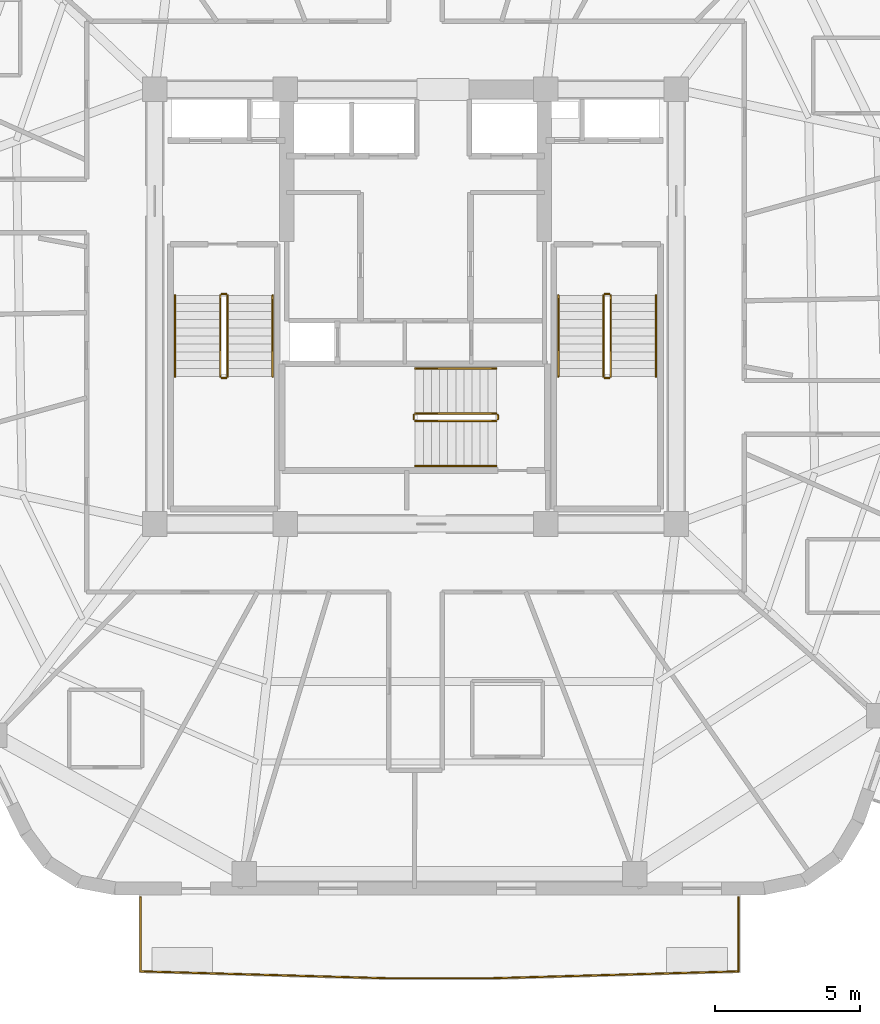
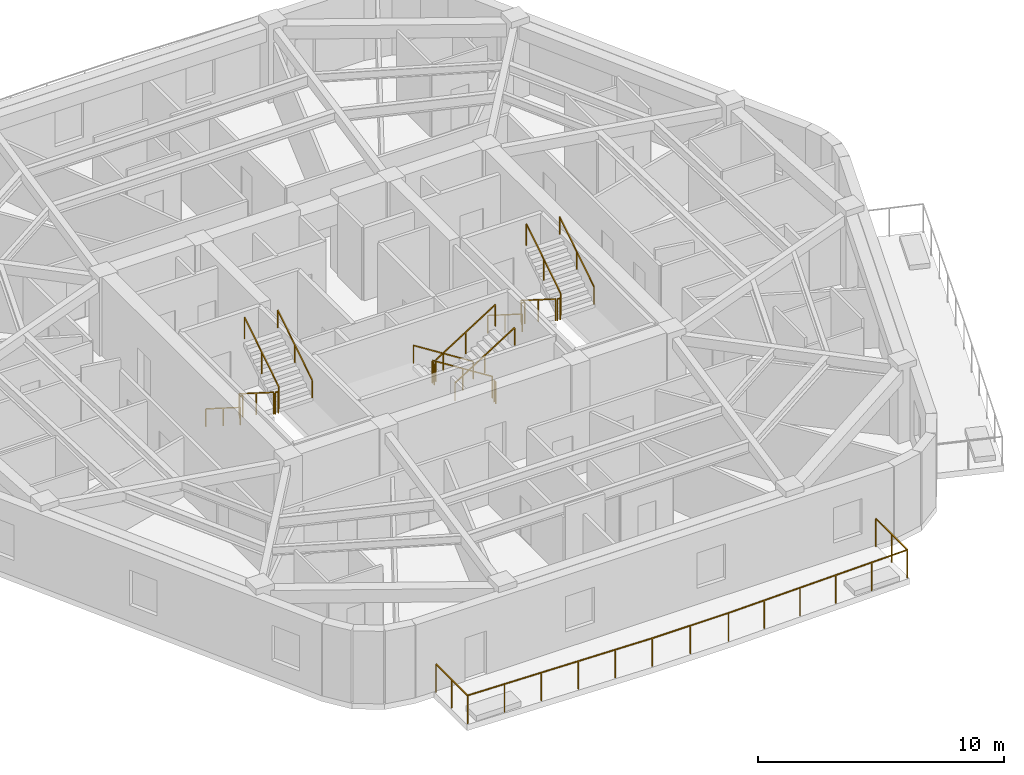
# One storey, part 8 of 9: 19 railings.
"""IFC4 building model written with IfcOpenShell, lengths in metres."""

from ifc_helpers import new_model, si_unit, direction, frame, origin, origin_2d, place, context, subcontext, project, spatial, rectangle, extrude, material, layer, layer_set, type_object, element, save


model = new_model("IFC4")

# Units and contexts
model_context = context("Model", 3, precision=1e-05, world=origin(), true_north=direction((0.0, 1.0)))
body_context = subcontext(model_context, "Body", "Model", "MODEL_VIEW")
ifc_project = project(units=[si_unit("LENGTHUNIT", "METRE"), si_unit("AREAUNIT", "SQUARE_METRE"), si_unit("VOLUMEUNIT", "CUBIC_METRE"), si_unit("PLANEANGLEUNIT", "RADIAN"), si_unit("MASSUNIT", "GRAM", prefix="KILO")], contexts=[model_context])

# Site, building, storey
site_placement = place(None, origin())
site = spatial("IfcSite", under=ifc_project, at=site_placement, CompositionType="ELEMENT")
building_placement = place(site_placement, origin())
building = spatial("IfcBuilding", under=site, at=building_placement, Name="Kilnhurst Terrace Hotel", CompositionType="ELEMENT")
storey_placement = place(building_placement, frame((0.0, 0.0, 261.300048828125)))
storey = spatial("IfcBuildingStorey", under=building, at=storey_placement, Name="L65", CompositionType="ELEMENT", Elevation=261.300048828125)

# Railings
ifc_material_1 = material(Name="Laminated SentryGlas and Stainless Steel AISI 316L Balustrade", Category="steel")
ifc_layer_1 = layer(ifc_material_1, 0.070068359375, Name="Laminated SentryGlas and Stainless Steel AISI 316L Balustrade")
ifc_layer_set_1 = layer_set([ifc_layer_1], Name="Laminated SentryGlas and Stainless Steel AISI 316L Balustrade")
railing_type_1 = type_object("IfcRailingType", Name="RLG-BAL-1420", PredefinedType="BALUSTRADE", material=ifc_layer_set_1)
railing_1_placement = place(storey_placement, frame((11.151611328125, -20.3798828125, 0.0)))
element("IfcRailing", 1, at=railing_1_placement, inside=storey, type_object=railing_type_1, Name="L65 Exterior Terrace Guardrail BAL-L1A.1", PredefinedType="BALUSTRADE", context=body_context, shape_type="SweptSolid", body=[
    extrude(rectangle(XDim=0.048095703125, YDim=0.048095703125, at=origin_2d()), frame((0.0, 0.0, 1.39599609375), z_axis=(0.0, -1.0, 0.0), x_axis=(1.0, 0.0, 0.0)), (0.0, 0.0, 1.0), 2.561767578125),
    extrude(rectangle(XDim=0.048095703125, YDim=0.048095703125, at=origin_2d()), frame((0.0, -2.561767578125, 1.39599609375), z_axis=(-0.999610218954, -0.027917918323, 0.0), x_axis=(0.027917918323, -0.999610218954, 0.0)), (0.0, 0.0, 1.0), 8.53515625),
    extrude(rectangle(XDim=0.048095703125, YDim=0.048095703125, at=origin_2d()), frame((-8.53173828125, -2.800048828125, 1.39599609375), z_axis=(-1.0, 0.0, 0.0), x_axis=(0.0, -1.0, 0.0)), (0.0, 0.0, 1.0), 3.577880859375),
    extrude(rectangle(XDim=0.048095703125, YDim=0.048095703125, at=origin_2d()), frame((-12.109619140625, -2.800048828125, 1.39599609375), z_axis=(-0.999610218954, 0.027917918323, 0.0), x_axis=(-0.027917918323, -0.999610218954, 0.0)), (0.0, 0.0, 1.0), 8.53515625),
    extrude(rectangle(XDim=0.048095703125, YDim=0.048095703125, at=origin_2d()), frame((-20.641357421875, -2.561767578125, 1.39599609375), z_axis=(0.0, 1.0, 0.0), x_axis=(-1.0, 0.0, 0.0)), (0.0, 0.0, 1.0), 2.561767578125),
    extrude(rectangle(XDim=0.0419921875, YDim=0.0419921875, at=origin_2d()), origin(), (0.0, 0.0, 1.0), 1.371826171875),
    extrude(rectangle(XDim=0.0419921875, YDim=0.0419921875, at=origin_2d()), frame((0.0, -1.28076171875, 0.0)), (0.0, 0.0, 1.0), 1.371826171875),
    extrude(rectangle(XDim=0.0419921875, YDim=0.0419921875, at=origin_2d()), frame((0.0, -2.561767578125, 0.0)), (0.0, 0.0, 1.0), 1.371826171875),
    extrude(rectangle(XDim=0.0419921875, YDim=0.0419921875, at=origin_2d()), frame((-1.706298828125, -2.609375, 0.0)), (0.0, 0.0, 1.0), 1.371826171875),
    extrude(rectangle(XDim=0.0419921875, YDim=0.0419921875, at=origin_2d()), frame((-3.41259765625, -2.656982421875, 0.0)), (0.0, 0.0, 1.0), 1.371826171875),
    extrude(rectangle(XDim=0.0419921875, YDim=0.0419921875, at=origin_2d()), frame((-5.119140625, -2.704833984375, 0.0)), (0.0, 0.0, 1.0), 1.371826171875),
    extrude(rectangle(XDim=0.0419921875, YDim=0.0419921875, at=origin_2d()), frame((-6.825439453125, -2.75244140625, 0.0)), (0.0, 0.0, 1.0), 1.371826171875),
    extrude(rectangle(XDim=0.0419921875, YDim=0.0419921875, at=origin_2d()), frame((-8.53173828125, -2.800048828125, 0.0)), (0.0, 0.0, 1.0), 1.371826171875),
    extrude(rectangle(XDim=0.0419921875, YDim=0.0419921875, at=origin_2d()), frame((-10.32080078125, -2.800048828125, 0.0)), (0.0, 0.0, 1.0), 1.371826171875),
    extrude(rectangle(XDim=0.0419921875, YDim=0.0419921875, at=origin_2d()), frame((-12.109619140625, -2.800048828125, 0.0)), (0.0, 0.0, 1.0), 1.371826171875),
    extrude(rectangle(XDim=0.0419921875, YDim=0.0419921875, at=origin_2d()), frame((-13.81591796875, -2.75244140625, 0.0)), (0.0, 0.0, 1.0), 1.371826171875),
    extrude(rectangle(XDim=0.0419921875, YDim=0.0419921875, at=origin_2d()), frame((-15.522216796875, -2.704833984375, 0.0)), (0.0, 0.0, 1.0), 1.371826171875),
    extrude(rectangle(XDim=0.0419921875, YDim=0.0419921875, at=origin_2d()), frame((-17.228759765625, -2.656982421875, 0.0)), (0.0, 0.0, 1.0), 1.371826171875),
    extrude(rectangle(XDim=0.0419921875, YDim=0.0419921875, at=origin_2d()), frame((-18.93505859375, -2.609375, 0.0)), (0.0, 0.0, 1.0), 1.371826171875),
    extrude(rectangle(XDim=0.0419921875, YDim=0.0419921875, at=origin_2d()), frame((-20.641357421875, -2.561767578125, 0.0)), (0.0, 0.0, 1.0), 1.371826171875),
    extrude(rectangle(XDim=0.0419921875, YDim=0.0419921875, at=origin_2d()), frame((-20.641357421875, -1.28076171875, 0.0)), (0.0, 0.0, 1.0), 1.371826171875),
    extrude(rectangle(XDim=0.0419921875, YDim=0.0419921875, at=origin_2d()), frame((-20.641357421875, 0.0, 0.0)), (0.0, 0.0, 1.0), 1.371826171875),
])
ifc_material_2 = material(Name="Powder-Coated Steel ASTM A500 Grade B", Category="steel")
ifc_layer_2 = layer(ifc_material_2, 0.050048828125, Name="Powder-Coated Steel ASTM A500 Grade B")
ifc_layer_set_2 = layer_set([ifc_layer_2], Name="Powder-Coated Steel ASTM A500 Grade B")
railing_type_2 = type_object("IfcRailingType", Name="RLG-ST-GRD-1100", PredefinedType="GUARDRAIL", material=ifc_layer_set_2)
railing_2_placement = place(storey_placement, frame((-6.739990234375, 0.389892578125, 0.17724609375)))
element("IfcRailing", 2, at=railing_2_placement, inside=storey, type_object=railing_type_2, Name="L65 ST-1 stair guard 1", PredefinedType="GUARDRAIL", context=body_context, shape_type="SweptSolid", body=[
    extrude(rectangle(XDim=0.048095703125, YDim=0.048095703125, at=origin_2d()), frame((0.0, 0.0, 1.076171875), z_axis=(0.0, -0.844887892834, 0.53494340686), x_axis=(1.0, 0.0, 0.0)), (0.0, 0.0, 1.0), 3.313720703125),
    extrude(rectangle(XDim=0.0419921875, YDim=0.0419921875, at=origin_2d()), origin(), (0.0, 0.0, 1.0), 1.052001953125),
    extrude(rectangle(XDim=0.0419921875, YDim=0.0419921875, at=origin_2d()), frame((0.0, -1.39990234375, 0.88623046875)), (0.0, 0.0, 1.0), 1.052001953125),
    extrude(rectangle(XDim=0.0419921875, YDim=0.0419921875, at=origin_2d()), frame((0.0, -2.7998046875, 1.772705078125)), (0.0, 0.0, 1.0), 1.052001953125),
])
railing_3_placement = place(storey_placement, frame((-6.68994140625, -2.4599609375, 1.949951171875)))
element("IfcRailing", 3, at=railing_3_placement, inside=storey, type_object=railing_type_2, Name="L65 ST-1 stair guard 2", PredefinedType="GUARDRAIL", context=body_context, shape_type="SweptSolid", body=[
    extrude(rectangle(XDim=0.048095703125, YDim=0.048095703125, at=origin_2d()), frame((0.0, 0.0, 1.076171875), z_axis=(1.0, 0.0, 0.0), x_axis=(0.0, 1.0, 0.0)), (0.0, 0.0, 1.0), 0.14990234375),
    extrude(rectangle(XDim=0.0419921875, YDim=0.0419921875, at=origin_2d()), origin(), (0.0, 0.0, 1.0), 1.052001953125),
    extrude(rectangle(XDim=0.0419921875, YDim=0.0419921875, at=origin_2d()), frame((0.14990234375, 0.0, 0.0)), (0.0, 0.0, 1.0), 1.052001953125),
])
railing_4_placement = place(storey_placement, frame((-6.489990234375, -2.409912109375, 2.127197265625)))
element("IfcRailing", 4, at=railing_4_placement, inside=storey, type_object=railing_type_2, Name="L65 ST-1 stair guard 3", PredefinedType="GUARDRAIL", context=body_context, shape_type="SweptSolid", body=[
    extrude(rectangle(XDim=0.048095703125, YDim=0.048095703125, at=origin_2d()), frame((0.0, 0.0, 1.076171875), z_axis=(0.0, 0.844887892834, 0.53494340686), x_axis=(-1.0, 0.0, 0.0)), (0.0, 0.0, 1.0), 3.313720703125),
    extrude(rectangle(XDim=0.0419921875, YDim=0.0419921875, at=origin_2d()), origin(), (0.0, 0.0, 1.0), 1.052001953125),
    extrude(rectangle(XDim=0.0419921875, YDim=0.0419921875, at=origin_2d()), frame((0.0, 1.39990234375, 0.88623046875)), (0.0, 0.0, 1.0), 1.052001953125),
    extrude(rectangle(XDim=0.0419921875, YDim=0.0419921875, at=origin_2d()), frame((0.0, 2.7998046875, 1.772705078125)), (0.0, 0.0, 1.0), 1.052001953125),
])
railing_5_placement = place(storey_placement, frame((-6.68994140625, 0.43994140625, 0.0)))
element("IfcRailing", 5, at=railing_5_placement, inside=storey, type_object=railing_type_2, Name="L65 ST-1 stair guard 4", PredefinedType="GUARDRAIL", context=body_context, shape_type="SweptSolid", body=[
    extrude(rectangle(XDim=0.048095703125, YDim=0.048095703125, at=origin_2d()), frame((0.0, 0.0, 1.076171875), z_axis=(1.0, 0.0, 0.0), x_axis=(0.0, 1.0, 0.0)), (0.0, 0.0, 1.0), 0.14990234375),
    extrude(rectangle(XDim=0.0419921875, YDim=0.0419921875, at=origin_2d()), origin(), (0.0, 0.0, 1.0), 1.052001953125),
    extrude(rectangle(XDim=0.0419921875, YDim=0.0419921875, at=origin_2d()), frame((0.14990234375, 0.0, 0.0)), (0.0, 0.0, 1.0), 1.052001953125),
])
railing_6_placement = place(storey_placement, frame((6.489990234375, 0.389892578125, 0.17724609375)))
element("IfcRailing", 6, at=railing_6_placement, inside=storey, type_object=railing_type_2, Name="L65 ST-2 stair guard 1", PredefinedType="GUARDRAIL", context=body_context, shape_type="SweptSolid", body=[
    extrude(rectangle(XDim=0.048095703125, YDim=0.048095703125, at=origin_2d()), frame((0.0, 0.0, 1.076171875), z_axis=(0.0, -0.844887892834, 0.53494340686), x_axis=(1.0, 0.0, 0.0)), (0.0, 0.0, 1.0), 3.313720703125),
    extrude(rectangle(XDim=0.0419921875, YDim=0.0419921875, at=origin_2d()), origin(), (0.0, 0.0, 1.0), 1.052001953125),
    extrude(rectangle(XDim=0.0419921875, YDim=0.0419921875, at=origin_2d()), frame((0.0, -1.39990234375, 0.88623046875)), (0.0, 0.0, 1.0), 1.052001953125),
    extrude(rectangle(XDim=0.0419921875, YDim=0.0419921875, at=origin_2d()), frame((0.0, -2.7998046875, 1.772705078125)), (0.0, 0.0, 1.0), 1.052001953125),
])
railing_7_placement = place(storey_placement, frame((6.5400390625, -2.4599609375, 1.949951171875)))
element("IfcRailing", 7, at=railing_7_placement, inside=storey, type_object=railing_type_2, Name="L65 ST-2 stair guard 2", PredefinedType="GUARDRAIL", context=body_context, shape_type="SweptSolid", body=[
    extrude(rectangle(XDim=0.048095703125, YDim=0.048095703125, at=origin_2d()), frame((0.0, 0.0, 1.076171875), z_axis=(1.0, 0.0, 0.0), x_axis=(0.0, 1.0, 0.0)), (0.0, 0.0, 1.0), 0.14990234375),
    extrude(rectangle(XDim=0.0419921875, YDim=0.0419921875, at=origin_2d()), origin(), (0.0, 0.0, 1.0), 1.052001953125),
    extrude(rectangle(XDim=0.0419921875, YDim=0.0419921875, at=origin_2d()), frame((0.14990234375, 0.0, 0.0)), (0.0, 0.0, 1.0), 1.052001953125),
])
railing_8_placement = place(storey_placement, frame((6.739990234375, -2.409912109375, 2.127197265625)))
element("IfcRailing", 8, at=railing_8_placement, inside=storey, type_object=railing_type_2, Name="L65 ST-2 stair guard 3", PredefinedType="GUARDRAIL", context=body_context, shape_type="SweptSolid", body=[
    extrude(rectangle(XDim=0.048095703125, YDim=0.048095703125, at=origin_2d()), frame((0.0, 0.0, 1.076171875), z_axis=(0.0, 0.844887892834, 0.53494340686), x_axis=(-1.0, 0.0, 0.0)), (0.0, 0.0, 1.0), 3.313720703125),
    extrude(rectangle(XDim=0.0419921875, YDim=0.0419921875, at=origin_2d()), origin(), (0.0, 0.0, 1.0), 1.052001953125),
    extrude(rectangle(XDim=0.0419921875, YDim=0.0419921875, at=origin_2d()), frame((0.0, 1.39990234375, 0.88623046875)), (0.0, 0.0, 1.0), 1.052001953125),
    extrude(rectangle(XDim=0.0419921875, YDim=0.0419921875, at=origin_2d()), frame((0.0, 2.7998046875, 1.772705078125)), (0.0, 0.0, 1.0), 1.052001953125),
])
railing_9_placement = place(storey_placement, frame((6.5400390625, 0.43994140625, 0.0)))
element("IfcRailing", 9, at=railing_9_placement, inside=storey, type_object=railing_type_2, Name="L65 ST-2 stair guard 4", PredefinedType="GUARDRAIL", context=body_context, shape_type="SweptSolid", body=[
    extrude(rectangle(XDim=0.048095703125, YDim=0.048095703125, at=origin_2d()), frame((0.0, 0.0, 1.076171875), z_axis=(1.0, 0.0, 0.0), x_axis=(0.0, 1.0, 0.0)), (0.0, 0.0, 1.0), 0.14990234375),
    extrude(rectangle(XDim=0.0419921875, YDim=0.0419921875, at=origin_2d()), origin(), (0.0, 0.0, 1.0), 1.052001953125),
    extrude(rectangle(XDim=0.0419921875, YDim=0.0419921875, at=origin_2d()), frame((0.14990234375, 0.0, 0.0)), (0.0, 0.0, 1.0), 1.052001953125),
])
railing_10_placement = place(storey_placement, frame((2.7900390625, -3.68994140625, 0.17724609375)))
element("IfcRailing", 10, at=railing_10_placement, inside=storey, type_object=railing_type_2, Name="L65 ST-3 stair guard 1", PredefinedType="GUARDRAIL", context=body_context, shape_type="SweptSolid", body=[
    extrude(rectangle(XDim=0.048095703125, YDim=0.048095703125, at=origin_2d()), frame((0.0, 0.0, 1.076171875), z_axis=(-0.844908973607, 0.0, 0.534910110503), x_axis=(0.0, -1.0, 0.0)), (0.0, 0.0, 1.0), 3.31396484375),
    extrude(rectangle(XDim=0.0419921875, YDim=0.0419921875, at=origin_2d()), origin(), (0.0, 0.0, 1.0), 1.052001953125),
    extrude(rectangle(XDim=0.0419921875, YDim=0.0419921875, at=origin_2d()), frame((-1.39990234375, 0.0, 0.88623046875)), (0.0, 0.0, 1.0), 1.052001953125),
    extrude(rectangle(XDim=0.0419921875, YDim=0.0419921875, at=origin_2d()), frame((-2.800048828125, 0.0, 1.772705078125)), (0.0, 0.0, 1.0), 1.052001953125),
])
railing_11_placement = place(storey_placement, frame((-0.06005859375, -3.739990234375, 1.949951171875)))
element("IfcRailing", 11, at=railing_11_placement, inside=storey, type_object=railing_type_2, Name="L65 ST-3 stair guard 2", PredefinedType="GUARDRAIL", context=body_context, shape_type="SweptSolid", body=[
    extrude(rectangle(XDim=0.048095703125, YDim=0.048095703125, at=origin_2d()), frame((0.0, 0.0, 1.076171875), z_axis=(0.0, -1.0, 0.0), x_axis=(1.0, 0.0, 0.0)), (0.0, 0.0, 1.0), 0.14990234375),
    extrude(rectangle(XDim=0.0419921875, YDim=0.0419921875, at=origin_2d()), origin(), (0.0, 0.0, 1.0), 1.052001953125),
    extrude(rectangle(XDim=0.0419921875, YDim=0.0419921875, at=origin_2d()), frame((0.0, -0.14990234375, 0.0)), (0.0, 0.0, 1.0), 1.052001953125),
])
railing_12_placement = place(storey_placement, frame((-0.010009765625, -3.93994140625, 2.127197265625)))
element("IfcRailing", 12, at=railing_12_placement, inside=storey, type_object=railing_type_2, Name="L65 ST-3 stair guard 3", PredefinedType="GUARDRAIL", context=body_context, shape_type="SweptSolid", body=[
    extrude(rectangle(XDim=0.048095703125, YDim=0.048095703125, at=origin_2d()), frame((0.0, 0.0, 1.076171875), z_axis=(0.844908973607, 0.0, 0.534910110503), x_axis=(0.0, 1.0, 0.0)), (0.0, 0.0, 1.0), 3.31396484375),
    extrude(rectangle(XDim=0.0419921875, YDim=0.0419921875, at=origin_2d()), origin(), (0.0, 0.0, 1.0), 1.052001953125),
    extrude(rectangle(XDim=0.0419921875, YDim=0.0419921875, at=origin_2d()), frame((1.39990234375, 0.0, 0.88623046875)), (0.0, 0.0, 1.0), 1.052001953125),
    extrude(rectangle(XDim=0.0419921875, YDim=0.0419921875, at=origin_2d()), frame((2.800048828125, 0.0, 1.772705078125)), (0.0, 0.0, 1.0), 1.052001953125),
])
railing_13_placement = place(storey_placement, frame((2.840087890625, -3.739990234375, 0.0)))
element("IfcRailing", 13, at=railing_13_placement, inside=storey, type_object=railing_type_2, Name="L65 ST-3 stair guard 4", PredefinedType="GUARDRAIL", context=body_context, shape_type="SweptSolid", body=[
    extrude(rectangle(XDim=0.048095703125, YDim=0.048095703125, at=origin_2d()), frame((0.0, 0.0, 1.076171875), z_axis=(0.0, -1.0, 0.0), x_axis=(1.0, 0.0, 0.0)), (0.0, 0.0, 1.0), 0.14990234375),
    extrude(rectangle(XDim=0.0419921875, YDim=0.0419921875, at=origin_2d()), origin(), (0.0, 0.0, 1.0), 1.052001953125),
    extrude(rectangle(XDim=0.0419921875, YDim=0.0419921875, at=origin_2d()), frame((0.0, -0.14990234375, 0.0)), (0.0, 0.0, 1.0), 1.052001953125),
])
ifc_material_3 = material(Name="Brushed Stainless Steel AISI 304", Category="steel")
ifc_layer_3 = layer(ifc_material_3, 0.048095703125, Name="Brushed Stainless Steel AISI 304")
ifc_layer_set_3 = layer_set([ifc_layer_3], Name="Brushed Stainless Steel AISI 304")
railing_type_3 = type_object("IfcRailingType", Name="RLG-ST-HRL-900", PredefinedType="HANDRAIL", material=ifc_layer_set_3)
railing_14_placement = place(storey_placement, frame((-8.300048828125, 0.389892578125, 0.17724609375)))
element("IfcRailing", 14, at=railing_14_placement, inside=storey, type_object=railing_type_3, Name="L65 ST-1 stair handrail 1", PredefinedType="HANDRAIL", context=body_context, shape_type="SweptSolid", body=[
    extrude(rectangle(XDim=0.048095703125, YDim=0.048095703125, at=origin_2d()), frame((0.0, 0.0, 0.8759765625), z_axis=(0.0, -0.844887892834, 0.53494340686), x_axis=(1.0, 0.0, 0.0)), (0.0, 0.0, 1.0), 3.313720703125),
    extrude(rectangle(XDim=0.0419921875, YDim=0.0419921875, at=origin_2d()), origin(), (0.0, 0.0, 1.0), 0.851806640625),
    extrude(rectangle(XDim=0.0419921875, YDim=0.0419921875, at=origin_2d()), frame((0.0, -1.39990234375, 0.88623046875)), (0.0, 0.0, 1.0), 0.851806640625),
    extrude(rectangle(XDim=0.0419921875, YDim=0.0419921875, at=origin_2d()), frame((0.0, -2.7998046875, 1.772705078125)), (0.0, 0.0, 1.0), 0.851806640625),
])
railing_15_placement = place(storey_placement, frame((-4.929931640625, -2.409912109375, 2.127197265625)))
element("IfcRailing", 15, at=railing_15_placement, inside=storey, type_object=railing_type_3, Name="L65 ST-1 stair handrail 2", PredefinedType="HANDRAIL", context=body_context, shape_type="SweptSolid", body=[
    extrude(rectangle(XDim=0.048095703125, YDim=0.048095703125, at=origin_2d()), frame((0.0, 0.0, 0.8759765625), z_axis=(0.0, 0.844887892834, 0.53494340686), x_axis=(-1.0, 0.0, 0.0)), (0.0, 0.0, 1.0), 3.313720703125),
    extrude(rectangle(XDim=0.0419921875, YDim=0.0419921875, at=origin_2d()), origin(), (0.0, 0.0, 1.0), 0.851806640625),
    extrude(rectangle(XDim=0.0419921875, YDim=0.0419921875, at=origin_2d()), frame((0.0, 1.39990234375, 0.88623046875)), (0.0, 0.0, 1.0), 0.851806640625),
    extrude(rectangle(XDim=0.0419921875, YDim=0.0419921875, at=origin_2d()), frame((0.0, 2.7998046875, 1.772705078125)), (0.0, 0.0, 1.0), 0.851806640625),
])
railing_16_placement = place(storey_placement, frame((4.929931640625, 0.389892578125, 0.17724609375)))
element("IfcRailing", 16, at=railing_16_placement, inside=storey, type_object=railing_type_3, Name="L65 ST-2 stair handrail 1", PredefinedType="HANDRAIL", context=body_context, shape_type="SweptSolid", body=[
    extrude(rectangle(XDim=0.048095703125, YDim=0.048095703125, at=origin_2d()), frame((0.0, 0.0, 0.8759765625), z_axis=(0.0, -0.844887892834, 0.53494340686), x_axis=(1.0, 0.0, 0.0)), (0.0, 0.0, 1.0), 3.313720703125),
    extrude(rectangle(XDim=0.0419921875, YDim=0.0419921875, at=origin_2d()), origin(), (0.0, 0.0, 1.0), 0.851806640625),
    extrude(rectangle(XDim=0.0419921875, YDim=0.0419921875, at=origin_2d()), frame((0.0, -1.39990234375, 0.88623046875)), (0.0, 0.0, 1.0), 0.851806640625),
    extrude(rectangle(XDim=0.0419921875, YDim=0.0419921875, at=origin_2d()), frame((0.0, -2.7998046875, 1.772705078125)), (0.0, 0.0, 1.0), 0.851806640625),
])
railing_17_placement = place(storey_placement, frame((8.300048828125, -2.409912109375, 2.127197265625)))
element("IfcRailing", 17, at=railing_17_placement, inside=storey, type_object=railing_type_3, Name="L65 ST-2 stair handrail 2", PredefinedType="HANDRAIL", context=body_context, shape_type="SweptSolid", body=[
    extrude(rectangle(XDim=0.048095703125, YDim=0.048095703125, at=origin_2d()), frame((0.0, 0.0, 0.8759765625), z_axis=(0.0, 0.844887892834, 0.53494340686), x_axis=(-1.0, 0.0, 0.0)), (0.0, 0.0, 1.0), 3.313720703125),
    extrude(rectangle(XDim=0.0419921875, YDim=0.0419921875, at=origin_2d()), origin(), (0.0, 0.0, 1.0), 0.851806640625),
    extrude(rectangle(XDim=0.0419921875, YDim=0.0419921875, at=origin_2d()), frame((0.0, 1.39990234375, 0.88623046875)), (0.0, 0.0, 1.0), 0.851806640625),
    extrude(rectangle(XDim=0.0419921875, YDim=0.0419921875, at=origin_2d()), frame((0.0, 2.7998046875, 1.772705078125)), (0.0, 0.0, 1.0), 0.851806640625),
])
railing_18_placement = place(storey_placement, frame((2.7900390625, -2.1298828125, 0.17724609375)))
element("IfcRailing", 18, at=railing_18_placement, inside=storey, type_object=railing_type_3, Name="L65 ST-3 stair handrail 1", PredefinedType="HANDRAIL", context=body_context, shape_type="SweptSolid", body=[
    extrude(rectangle(XDim=0.048095703125, YDim=0.048095703125, at=origin_2d()), frame((0.0, 0.0, 0.8759765625), z_axis=(-0.844908973607, 0.0, 0.534910110503), x_axis=(0.0, -1.0, 0.0)), (0.0, 0.0, 1.0), 3.31396484375),
    extrude(rectangle(XDim=0.0419921875, YDim=0.0419921875, at=origin_2d()), origin(), (0.0, 0.0, 1.0), 0.851806640625),
    extrude(rectangle(XDim=0.0419921875, YDim=0.0419921875, at=origin_2d()), frame((-1.39990234375, 0.0, 0.88623046875)), (0.0, 0.0, 1.0), 0.851806640625),
    extrude(rectangle(XDim=0.0419921875, YDim=0.0419921875, at=origin_2d()), frame((-2.800048828125, 0.0, 1.772705078125)), (0.0, 0.0, 1.0), 0.851806640625),
])
railing_19_placement = place(storey_placement, frame((-0.010009765625, -5.5, 2.127197265625)))
element("IfcRailing", 19, at=railing_19_placement, inside=storey, type_object=railing_type_3, Name="L65 ST-3 stair handrail 2", PredefinedType="HANDRAIL", context=body_context, shape_type="SweptSolid", body=[
    extrude(rectangle(XDim=0.048095703125, YDim=0.048095703125, at=origin_2d()), frame((0.0, 0.0, 0.8759765625), z_axis=(0.844908973607, 0.0, 0.534910110503), x_axis=(0.0, 1.0, 0.0)), (0.0, 0.0, 1.0), 3.31396484375),
    extrude(rectangle(XDim=0.0419921875, YDim=0.0419921875, at=origin_2d()), origin(), (0.0, 0.0, 1.0), 0.851806640625),
    extrude(rectangle(XDim=0.0419921875, YDim=0.0419921875, at=origin_2d()), frame((1.39990234375, 0.0, 0.88623046875)), (0.0, 0.0, 1.0), 0.851806640625),
    extrude(rectangle(XDim=0.0419921875, YDim=0.0419921875, at=origin_2d()), frame((2.800048828125, 0.0, 1.772705078125)), (0.0, 0.0, 1.0), 0.851806640625),
])

save(model, "model.ifc")
